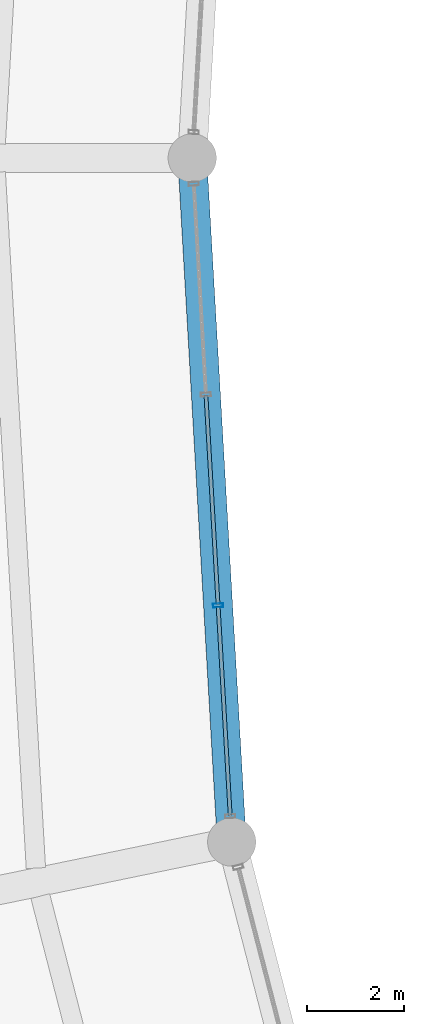
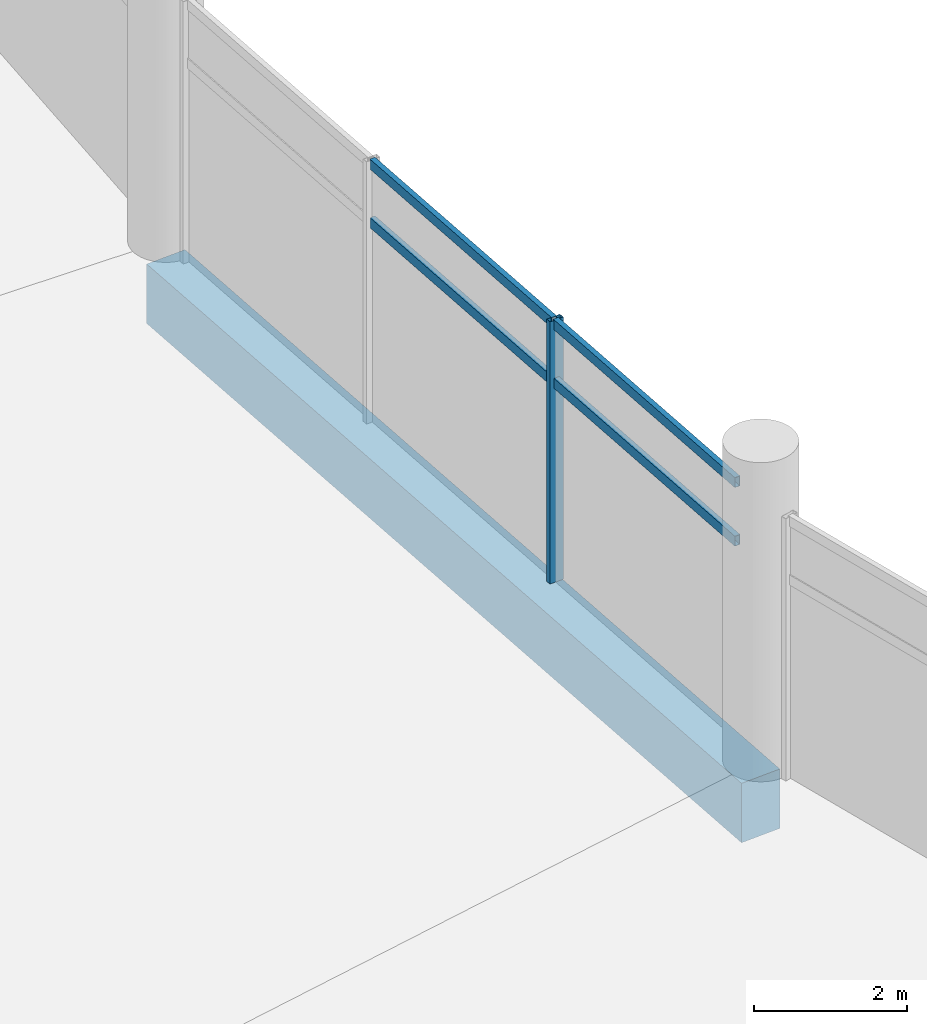
# One storey, part 44 of 184: 5 members, 1 beam, 1 element without a shape of its own.
"""IFC4 building model written with IfcOpenShell, lengths in metres."""

from ifc_helpers import new_model, si_unit, direction, frame, origin, origin_2d, place, context, subcontext, project, spatial, rectangle, hollow_rectangle, extrude, material, layer, layer_set, material_profile, profile_set, type_object, element, aggregate, save


model = new_model("IFC4")

# Units and contexts
model_context = context("Model", 3, precision=1e-05, world=origin(), true_north=direction((0.0, 1.0)))
body_context = subcontext(model_context, "Body", "Model", "MODEL_VIEW")
ifc_project = project(units=[si_unit("LENGTHUNIT", "METRE"), si_unit("AREAUNIT", "SQUARE_METRE"), si_unit("VOLUMEUNIT", "CUBIC_METRE"), si_unit("PLANEANGLEUNIT", "RADIAN"), si_unit("MASSUNIT", "GRAM", prefix="KILO")], contexts=[model_context])

# Site, building, storey
site_placement = place(None, origin())
site = spatial("IfcSite", under=ifc_project, at=site_placement, CompositionType="ELEMENT")
building_placement = place(site_placement, origin())
building = spatial("IfcBuilding", under=site, at=building_placement, Name="Kazemori Nagisa Stadium", CompositionType="ELEMENT")
storey_placement = place(building_placement, frame((0.0, 0.0, 10.5400390625)))
storey = spatial("IfcBuildingStorey", under=building, at=storey_placement, Name="L02", CompositionType="ELEMENT", Elevation=10.5400390625)

# Beam
ifc_material_1 = material(Name="Concrete C40/50 (Fc42)", Category="concrete")
ifc_material_profile_1 = material_profile(ifc_material_1, rectangle(XDim=0.60009765625, YDim=0.949951171875, at=origin_2d()), Name="RC-BM-600x950")
ifc_profile_set_1 = profile_set([ifc_material_profile_1], Name="Concrete C40/50 (Fc42)")
beam_type = type_object("IfcBeamType", Name="Beam_BG-RC600X950", PredefinedType="BEAM", material=ifc_profile_set_1)
beam_placement = place(storey_placement, frame((53.64990234375, 102.0, -0.735107421875), z_axis=(0.057610061423, -0.998339161219, 0.0), x_axis=(0.998339161219, 0.057610061423, 0.0)))
element("IfcBeam", 1, at=beam_placement, inside=storey, type_object=beam_type, Name="Ring girder BG-RC600X950 L02 R1-15", PredefinedType="BEAM", context=body_context, shape_type="SweptSolid", body=[
    extrude(rectangle(XDim=0.60009765625, YDim=0.949951171875, at=origin_2d()), origin(), (0.0, 0.0, 1.0), 14.183837890625),
])

# Curtain wall, members
ifc_material_2 = material(Name="Anodised aluminium 6063-T5", Category="aluminium")
ifc_layer = layer(ifc_material_2, 0.2099609375, Name="Anodised aluminium 6063-T5", Category="aluminium")
ifc_layer_set = layer_set([ifc_layer], Name="Anodised aluminium 6063-T5")
curtain_wall_type = type_object("IfcCurtainWallType", Name="CW_L02B_66", PredefinedType="USERDEFINED", material=ifc_layer_set)
curtain_wall_placement = place(storey_placement, origin())
curtain_wall = element("IfcCurtainWall", 2, at=curtain_wall_placement, inside=storey, type_object=curtain_wall_type, Name="Unitised curtain wall CW-L02B-66 L02", ObjectType="UNITISED CURTAIN WALL", PredefinedType="USERDEFINED")
ifc_material_3 = material(Name="Aluminium 6063-T5 anodised", Category="aluminium")
ifc_material_profile_2 = material_profile(ifc_material_3, hollow_rectangle(XDim=0.080078125, YDim=0.2099609375, WallThickness=0.0048828125, at=origin_2d()), Name="ALU-MULL-80x210x5")
ifc_profile_set_2 = profile_set([ifc_material_profile_2], Name="Aluminium 6063-T5 anodised")
member_type_1 = type_object("IfcMemberType", Name="Mullion_M02", PredefinedType="MULLION", material=ifc_profile_set_2)
member_1_placement = place(storey_placement, frame((54.184326171875, 92.73779296875, 0.0), z_axis=(0.0, 0.0, 1.0), x_axis=(0.057601670941, -0.998339645364, 0.0)))
member_1 = element("IfcMember", 3, at=member_1_placement, type_object=member_type_1, Name="Curtain wall mullion CW-L02B-66-M3", PredefinedType="MULLION", context=body_context, shape_type="SweptSolid", body=[
    extrude(hollow_rectangle(XDim=0.080078125, YDim=0.2099609375, WallThickness=0.0048828125, at=origin_2d()), origin(), (0.0, 0.0, 1.0), 4.18994140625),
])
ifc_material_profile_3 = material_profile(ifc_material_3, hollow_rectangle(XDim=0.080078125, YDim=0.159912109375, WallThickness=0.00390625, at=origin_2d()), Name="ALU-TRAN-80x160x4")
ifc_profile_set_3 = profile_set([ifc_material_profile_3], Name="Aluminium 6063-T5 anodised")
member_type_2 = type_object("IfcMemberType", Name="Transom_T02", PredefinedType="USERDEFINED", material=ifc_profile_set_3)
member_2_placement = place(storey_placement, frame((53.933837890625, 97.081787109375, 3.184326171875), z_axis=(0.057608419603, -0.99833925596, 0.0), x_axis=(0.99833925596, 0.057608419603, 0.0)))
member_2 = element("IfcMember", 4, at=member_2_placement, type_object=member_type_2, Name="Curtain wall transom CW-L02B-66-T2-mid", ObjectType="TRANSOM", PredefinedType="USERDEFINED", context=body_context, shape_type="SweptSolid", body=[
    extrude(hollow_rectangle(XDim=0.080078125, YDim=0.159912109375, WallThickness=0.00390625, at=origin_2d()), origin(), (0.0, 0.0, 1.0), 4.3310546875),
])
member_3_placement = place(storey_placement, frame((53.933837890625, 97.081787109375, 4.119873046875), z_axis=(0.057608419603, -0.99833925596, 0.0), x_axis=(0.99833925596, 0.057608419603, 0.0)))
member_3 = element("IfcMember", 5, at=member_3_placement, type_object=member_type_2, Name="Curtain wall transom CW-L02B-66-T2-head", ObjectType="TRANSOM", PredefinedType="USERDEFINED", context=body_context, shape_type="SweptSolid", body=[
    extrude(hollow_rectangle(XDim=0.080078125, YDim=0.159912109375, WallThickness=0.00390625, at=origin_2d()), origin(), (0.0, 0.0, 1.0), 4.3310546875),
])
member_4_placement = place(storey_placement, frame((54.185546875, 92.7177734375, 3.184326171875), z_axis=(0.057608419603, -0.99833925596, 0.0), x_axis=(0.99833925596, 0.057608419603, 0.0)))
member_4 = element("IfcMember", 6, at=member_4_placement, type_object=member_type_2, Name="Curtain wall transom CW-L02B-66-T3-mid", ObjectType="TRANSOM", PredefinedType="USERDEFINED", context=body_context, shape_type="SweptSolid", body=[
    extrude(hollow_rectangle(XDim=0.080078125, YDim=0.159912109375, WallThickness=0.00390625, at=origin_2d()), origin(), (0.0, 0.0, 1.0), 4.3310546875),
])
member_5_placement = place(storey_placement, frame((54.185546875, 92.7177734375, 4.119873046875), z_axis=(0.057608419603, -0.99833925596, 0.0), x_axis=(0.99833925596, 0.057608419603, 0.0)))
member_5 = element("IfcMember", 7, at=member_5_placement, type_object=member_type_2, Name="Curtain wall transom CW-L02B-66-T3-head", ObjectType="TRANSOM", PredefinedType="USERDEFINED", context=body_context, shape_type="SweptSolid", body=[
    extrude(hollow_rectangle(XDim=0.080078125, YDim=0.159912109375, WallThickness=0.00390625, at=origin_2d()), origin(), (0.0, 0.0, 1.0), 4.3310546875),
])
aggregate(curtain_wall, [member_1, member_2, member_3, member_4, member_5])

save(model, "model.ifc")
